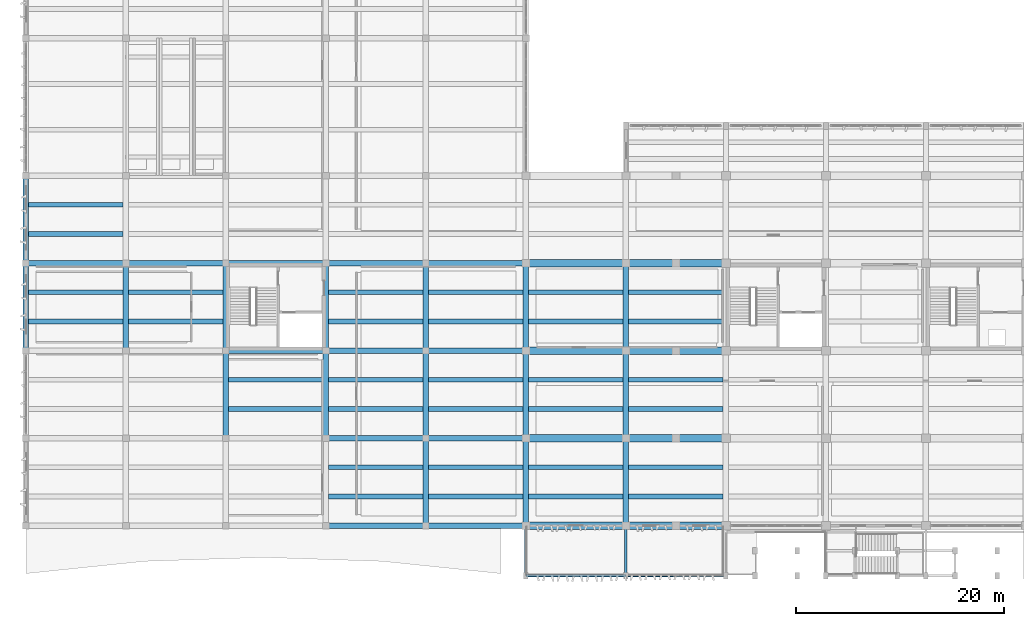
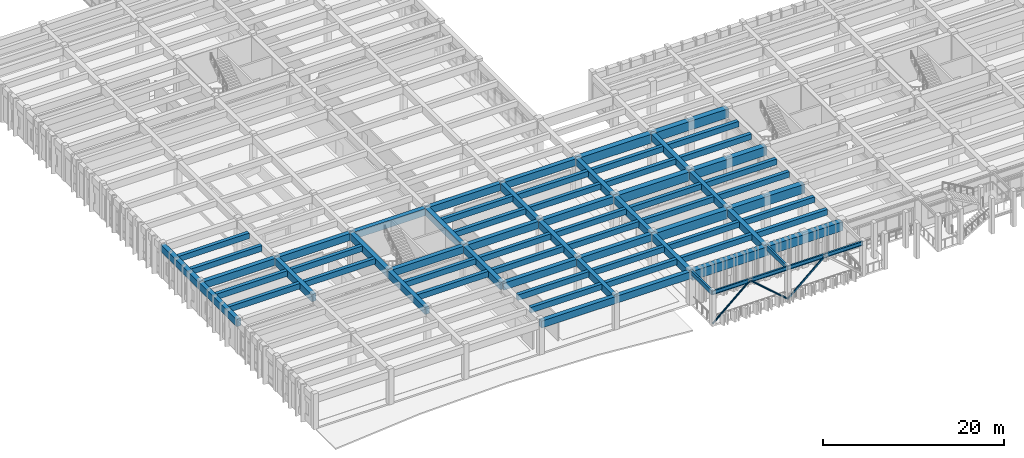
# One storey, part 4 of 86: 72 beams, 3 members.
"""IFC4 building model written with IfcOpenShell, lengths in metres."""

import ifcopenshell
import ifcopenshell.guid

model = None  # the IFC model being written
_history = None  # IfcOwnerHistory: only IFC2X3 demands one
_inside = {}  # id of a spatial element -> (the spatial element, [elements in it])
_under = {}  # id of a project, library or spatial element -> (it, [spatial elements below it])
_declared = {}  # id of a project -> (the project, [libraries it declares])
_typed = {}  # id of a type object -> (the type object, [elements of that type])
_made_of = {}  # id of a material, layer set ... -> (it, [elements and type objects made of it])


def new_model(schema):
    """Start an empty IFC model of exactly this schema.

    Asked for "IFC4X3", IfcOpenShell would pick the latest addendum, in which some entities
    have other attributes; the version numbers below select the first issue.
    IFC2X3 requires an IfcOwnerHistory on every rooted entity: one is made here for all.
    """
    global model, _history
    if schema == "IFC4X3":
        model = ifcopenshell.file(schema_version=(4, 3, 0, 0))
    else:
        model = ifcopenshell.file(schema=schema)
    _inside.clear()
    _under.clear()
    _declared.clear()
    _typed.clear()
    _made_of.clear()
    _history = None
    if model.schema == "IFC2X3":
        org = make("IfcOrganization", Name="unknown")
        user = make(
            "IfcPersonAndOrganization",
            ThePerson=make("IfcPerson", FamilyName="unknown"),
            TheOrganization=org,
        )
        app = make(
            "IfcApplication",
            ApplicationDeveloper=org,
            Version="unknown",
            ApplicationFullName="unknown",
            ApplicationIdentifier="unknown",
        )
        _history = make(
            "IfcOwnerHistory",
            OwningUser=user,
            OwningApplication=app,
            ChangeAction="ADDED",
            CreationDate=0,
        )
    return model


def make(cls, **values):
    """One entity of the class cls with the attributes given. An attribute that is None is left unset."""
    return model.create_entity(
        cls, **{name: value for name, value in values.items() if value is not None}
    )


def rooted(cls, **values):
    """An entity with a GlobalId (a new one), such as an element, a storey or a relation."""
    return make(cls, GlobalId=ifcopenshell.guid.new(), OwnerHistory=_history, **values)


def si_unit(unit_type, name, prefix=None):
    """IfcSIUnit, for example si_unit("LENGTHUNIT", "METRE", prefix="MILLI")."""
    return make("IfcSIUnit", UnitType=unit_type, Prefix=prefix, Name=name)


def assignment(units):
    """IfcUnitAssignment: the units of a project."""
    return None if units is None else make("IfcUnitAssignment", Units=units)


def point(xyz):
    """IfcCartesianPoint."""
    return None if xyz is None else make("IfcCartesianPoint", Coordinates=xyz)


def direction(xyz):
    """IfcDirection."""
    return None if xyz is None else make("IfcDirection", DirectionRatios=xyz)


def frame(location, z_axis=None, x_axis=None):
    """IfcAxis2Placement3D, a coordinate frame: its origin and axes. An axis left out is left unset."""
    return make(
        "IfcAxis2Placement3D",
        Location=point(location),
        Axis=direction(z_axis),
        RefDirection=direction(x_axis),
    )


def frame_2d(location, x_axis=None):
    """IfcAxis2Placement2D, a coordinate frame in the plane: its origin and x axis."""
    return make(
        "IfcAxis2Placement2D", Location=point(location), RefDirection=direction(x_axis)
    )


def origin():
    """The frame at (0, 0, 0) with its axes left unset."""
    return frame((0.0, 0.0, 0.0))


def origin_2d():
    """The frame at (0, 0) in the plane with its x axis left unset."""
    return frame_2d((0.0, 0.0))


def place(relative_to, where):
    """IfcLocalPlacement: puts the frame where relative to a parent placement (None: the world)."""
    return make(
        "IfcLocalPlacement", PlacementRelTo=relative_to, RelativePlacement=where
    )


def context(
    kind, dimensions, precision=None, world=None, true_north=None, identifier=None
):
    """IfcGeometricRepresentationContext, for example the 3D "Model" context."""
    return make(
        "IfcGeometricRepresentationContext",
        ContextIdentifier=identifier,
        ContextType=kind,
        CoordinateSpaceDimension=dimensions,
        Precision=precision,
        WorldCoordinateSystem=world,
        TrueNorth=true_north,
    )


def subcontext(parent, identifier, kind, view, scale=None):
    """IfcGeometricRepresentationSubContext, for example "Body" below "Model"."""
    return make(
        "IfcGeometricRepresentationSubContext",
        ContextIdentifier=identifier,
        ContextType=kind,
        ParentContext=parent,
        TargetScale=scale,
        TargetView=view,
    )


def project(units=None, contexts=None):
    """IfcProject with its units and contexts."""
    return rooted(
        "IfcProject",
        Name="project",
        RepresentationContexts=contexts,
        UnitsInContext=assignment(units),
    )


def spatial(cls, under=None, at=None, **own):
    """A site, building, storey or space (cls), placed at a placement, below another one or the project."""
    s = rooted(cls, ObjectPlacement=at, **own)
    if under is not None:
        _under.setdefault(under.id(), (under, []))[1].append(s)
    return s


def profile(cls, at=None, kind="AREA", **sizes):
    """A parametric profile (cls). Its sizes go by their IFC names, for example OverallWidth=200.0."""
    return make(cls, ProfileType=kind, Position=at, **sizes)


def rectangle(**sizes):
    """IfcRectangleProfileDef."""
    return profile("IfcRectangleProfileDef", **sizes)


def hollow_rectangle(**sizes):
    """IfcRectangleHollowProfileDef."""
    return profile("IfcRectangleHollowProfileDef", **sizes)


def hollow_circle(**sizes):
    """IfcCircleHollowProfileDef."""
    return profile("IfcCircleHollowProfileDef", **sizes)


def i_section(**sizes):
    """IfcIShapeProfileDef."""
    return profile("IfcIShapeProfileDef", **sizes)


def extrude(swept, where, along, depth):
    """IfcExtrudedAreaSolid: the profile swept, set in the frame where, extruded along a direction by depth."""
    return make(
        "IfcExtrudedAreaSolid",
        SweptArea=swept,
        Position=where,
        ExtrudedDirection=direction(along),
        Depth=depth,
    )


def shape(context_of_items, identifier, shape_type, items):
    """IfcShapeRepresentation: the items that make up one representation, for example the "Body"."""
    return make(
        "IfcShapeRepresentation",
        ContextOfItems=context_of_items,
        RepresentationIdentifier=identifier,
        RepresentationType=shape_type,
        Items=items,
    )


def material(Name=None, Category=None):
    """IfcMaterial."""
    return make("IfcMaterial", Name=Name, Category=Category)


def material_profile(
    of_material, cross_section, Name=None, Category=None, Priority=None
):
    """IfcMaterialProfile: a cross section and its material."""
    return make(
        "IfcMaterialProfile",
        Name=Name,
        Material=of_material,
        Profile=cross_section,
        Priority=Priority,
        Category=Category,
    )


def profile_set(profiles, Name=None, composite=None):
    """IfcMaterialProfileSet."""
    return make(
        "IfcMaterialProfileSet",
        Name=Name,
        MaterialProfiles=profiles,
        CompositeProfile=composite,
    )


def made_of(thing, what):
    """Note that an element or type object is made of a material, layer set ...; save() writes the relation."""
    if what is not None:
        _made_of.setdefault(what.id(), (what, []))[1].append(thing)
    return thing


def type_object(cls, material=None, **own):
    """A type object (cls), such as IfcWallType, which elements share."""
    return made_of(rooted(cls, **own), material)


def element(
    cls,
    number,
    at=None,
    inside=None,
    cuts=None,
    type_object=None,
    material=None,
    context=None,
    identifier="Body",
    shape_type=None,
    held_by="IfcProductDefinitionShape",
    body=None,
    shapes=None,
    **own,
):
    """One element of the class cls, such as IfcWall. Its Tag is "e" and its number.

    at: its placement. inside: the storey or other place that contains it. cuts: it is an
    opening in that element (IfcRelVoidsElement). A single representation is given by context,
    identifier, shape_type and body (its items); several are given by shapes. held_by: the class
    of the entity that holds the representations. save() writes the other relations.
    """
    e = rooted(cls, Tag="e%d" % number, ObjectPlacement=at, **own)
    if body is not None:
        shapes = [shape(context, identifier, shape_type, body)]
    if shapes is not None:
        e.Representation = make(held_by, Representations=shapes)
    if inside is not None:
        _inside.setdefault(inside.id(), (inside, []))[1].append(e)
    if cuts is not None:
        rooted(
            "IfcRelVoidsElement", RelatingBuildingElement=cuts, RelatedOpeningElement=e
        )
    if type_object is not None:
        _typed.setdefault(type_object.id(), (type_object, []))[1].append(e)
    return made_of(e, material)


def aggregate(whole, parts):
    """IfcRelAggregates: a whole, such as a stair, and the parts it consists of."""
    return rooted("IfcRelAggregates", RelatingObject=whole, RelatedObjects=parts)


def save(model, path):
    """Write the relations noted so far, then the file.

    IfcRelAggregates (storeys below a building ...), IfcRelContainedInSpatialStructure (elements
    in a storey), IfcRelDefinesByType, IfcRelAssociatesMaterial and IfcRelDeclares: one each for
    every whole, place, type object, material and project.
    """
    for whole, parts in _under.values():
        aggregate(whole, parts)
    for where, things in _inside.values():
        rooted(
            "IfcRelContainedInSpatialStructure",
            RelatedElements=things,
            RelatingStructure=where,
        )
    for kind, things in _typed.values():
        rooted("IfcRelDefinesByType", RelatedObjects=things, RelatingType=kind)
    for what, things in _made_of.values():
        rooted("IfcRelAssociatesMaterial", RelatedObjects=things, RelatingMaterial=what)
    for by, libraries in _declared.values():
        rooted("IfcRelDeclares", RelatingContext=by, RelatedDefinitions=libraries)
    model.write(path)


model = new_model("IFC4")

# Units and contexts
model_context = context("Model", 3, precision=1e-05, world=origin(), true_north=direction((0.0, 1.0)))
body_context = subcontext(model_context, "Body", "Model", "MODEL_VIEW")
ifc_project = project(units=[si_unit("LENGTHUNIT", "METRE"), si_unit("AREAUNIT", "SQUARE_METRE"), si_unit("VOLUMEUNIT", "CUBIC_METRE"), si_unit("PLANEANGLEUNIT", "RADIAN"), si_unit("MASSUNIT", "GRAM", prefix="KILO")], contexts=[model_context])

# Site, building, storey
site_placement = place(None, origin())
site = spatial("IfcSite", under=ifc_project, at=site_placement, CompositionType="ELEMENT")
building_placement = place(site_placement, origin())
building = spatial("IfcBuilding", under=site, at=building_placement, Name="Kolvemor Railside Polytechnic", CompositionType="ELEMENT")
storey_placement = place(building_placement, frame((0.0, 0.0, 5.39990234375)))
storey = spatial("IfcBuildingStorey", under=building, at=storey_placement, Name="L01", CompositionType="ELEMENT", Elevation=5.39990234375)

# Beams
ifc_material_1 = material(Name="Glulam GL28h", Category="wood")
ifc_material_profile_1 = material_profile(ifc_material_1, rectangle(XDim=0.239990234375, YDim=0.56005859375, at=origin_2d()), Name="GL240x560")
ifc_profile_set_1 = profile_set([ifc_material_profile_1], Name="Glulam GL28h")
beam_type_1 = type_object("IfcBeamType", Name="BM-GL-GIRD6", PredefinedType="BEAM", material=ifc_profile_set_1)
for number, where, z_axis, x_axis, name in (
    (1, (48.0, 0.0, 4.330078125), (0.0, 1.0, 0.0), (-1.0, 0.0, 0.0), "Upper Canopy Outrigger 2006"),
    (2, (57.60009765625, 0.0, 4.330078125), (0.0, 1.0, 0.0), (-1.0, 0.0, 0.0), "Upper Canopy Outrigger 2007"),
):
    element("IfcBeam", number, at=place(storey_placement, frame(where, z_axis=z_axis, x_axis=x_axis)), inside=storey, type_object=beam_type_1, Name=name, PredefinedType="BEAM", context=body_context, shape_type="SweptSolid", body=[
        extrude(rectangle(XDim=0.239990234375, YDim=0.56005859375, at=origin_2d()), origin(), (0.0, 0.0, 1.0), 4.800048828125),
    ])
ifc_material_2 = material(Name="Concrete C40/50", Category="concrete")
ifc_material_profile_2 = material_profile(ifc_material_2, rectangle(XDim=0.550048828125, YDim=0.949951171875, at=origin_2d()), Name="RC550x950")
ifc_profile_set_2 = profile_set([ifc_material_profile_2], Name="Concrete C40/50")
beam_type_2 = type_object("IfcBeamType", Name="BM-RC-GIRD", PredefinedType="BEAM", material=ifc_profile_set_2)
beam_1_placement = place(storey_placement, frame((28.800048828125, 4.800048828125, 4.005126953125), z_axis=(1.0, 0.0, 0.0), x_axis=(0.0, 1.0, 0.0)))
element("IfcBeam", 3, at=beam_1_placement, inside=storey, type_object=beam_type_2, Name="Primary Girder L02-GX 0561", PredefinedType="BEAM", context=body_context, shape_type="SweptSolid", body=[
    extrude(rectangle(XDim=0.550048828125, YDim=0.949951171875, at=origin_2d()), origin(), (0.0, 0.0, 1.0), 9.599853515625),
])
beam_2_placement = place(storey_placement, frame((38.39990234375, 4.800048828125, 4.005126953125), z_axis=(1.0, 0.0, 0.0), x_axis=(0.0, 1.0, 0.0)))
element("IfcBeam", 4, at=beam_2_placement, inside=storey, type_object=beam_type_2, Name="Primary Girder L02-GX 0562", PredefinedType="BEAM", context=body_context, shape_type="SweptSolid", body=[
    extrude(rectangle(XDim=0.550048828125, YDim=0.949951171875, at=origin_2d()), origin(), (0.0, 0.0, 1.0), 9.60009765625),
])
beam_3_placement = place(storey_placement, frame((28.800048828125, 13.199951171875, 4.005126953125), z_axis=(1.0, 0.0, 0.0), x_axis=(0.0, 1.0, 0.0)))
element("IfcBeam", 5, at=beam_3_placement, inside=storey, type_object=beam_type_2, Name="Primary Girder L02-GX 0566", PredefinedType="BEAM", context=body_context, shape_type="SweptSolid", body=[
    extrude(rectangle(XDim=0.550048828125, YDim=0.949951171875, at=origin_2d()), origin(), (0.0, 0.0, 1.0), 9.599853515625),
])
for number, where, z_axis, x_axis, name in (
    (6, (38.39990234375, 13.199951171875, 4.005126953125), (1.0, 0.0, 0.0), (0.0, 1.0, 0.0), "Primary Girder L02-GX 0567"),
    (7, (19.199951171875, 21.60009765625, 4.005126953125), (1.0, 0.0, 0.0), (0.0, 1.0, 0.0), "Primary Girder L02-GX 0570"),
):
    element("IfcBeam", number, at=place(storey_placement, frame(where, z_axis=z_axis, x_axis=x_axis)), inside=storey, type_object=beam_type_2, Name=name, PredefinedType="BEAM", context=body_context, shape_type="SweptSolid", body=[
        extrude(rectangle(XDim=0.550048828125, YDim=0.949951171875, at=origin_2d()), origin(), (0.0, 0.0, 1.0), 9.60009765625),
    ])
beam_4_placement = place(storey_placement, frame((28.800048828125, 21.60009765625, 4.005126953125), z_axis=(1.0, 0.0, 0.0), x_axis=(0.0, 1.0, 0.0)))
element("IfcBeam", 8, at=beam_4_placement, inside=storey, type_object=beam_type_2, Name="Primary Girder L02-GX 0571", PredefinedType="BEAM", context=body_context, shape_type="SweptSolid", body=[
    extrude(rectangle(XDim=0.550048828125, YDim=0.949951171875, at=origin_2d()), origin(), (0.0, 0.0, 1.0), 9.599853515625),
])
for number, where, z_axis, x_axis, name in (
    (9, (38.39990234375, 21.60009765625, 4.005126953125), (1.0, 0.0, 0.0), (0.0, 1.0, 0.0), "Primary Girder L02-GX 0572"),
    (10, (0.0, 30.0, 4.005126953125), (1.0, 0.0, 0.0), (0.0, 1.0, 0.0), "Primary Girder L02-GX 0573"),
):
    element("IfcBeam", number, at=place(storey_placement, frame(where, z_axis=z_axis, x_axis=x_axis)), inside=storey, type_object=beam_type_2, Name=name, PredefinedType="BEAM", context=body_context, shape_type="SweptSolid", body=[
        extrude(rectangle(XDim=0.550048828125, YDim=0.949951171875, at=origin_2d()), origin(), (0.0, 0.0, 1.0), 9.60009765625),
    ])
beam_5_placement = place(storey_placement, frame((9.60009765625, 30.0, 4.005126953125), z_axis=(1.0, 0.0, 0.0), x_axis=(0.0, 1.0, 0.0)))
element("IfcBeam", 11, at=beam_5_placement, inside=storey, type_object=beam_type_2, Name="Primary Girder L02-GX 0574", PredefinedType="BEAM", context=body_context, shape_type="SweptSolid", body=[
    extrude(rectangle(XDim=0.550048828125, YDim=0.949951171875, at=origin_2d()), origin(), (0.0, 0.0, 1.0), 9.599853515625),
])
beam_6_placement = place(storey_placement, frame((19.199951171875, 30.0, 4.005126953125), z_axis=(1.0, 0.0, 0.0), x_axis=(0.0, 1.0, 0.0)))
element("IfcBeam", 12, at=beam_6_placement, inside=storey, type_object=beam_type_2, Name="Primary Girder L02-GX 0575", PredefinedType="BEAM", context=body_context, shape_type="SweptSolid", body=[
    extrude(rectangle(XDim=0.550048828125, YDim=0.949951171875, at=origin_2d()), origin(), (0.0, 0.0, 1.0), 9.60009765625),
])
beam_7_placement = place(storey_placement, frame((28.800048828125, 30.0, 4.005126953125), z_axis=(1.0, 0.0, 0.0), x_axis=(0.0, 1.0, 0.0)))
element("IfcBeam", 13, at=beam_7_placement, inside=storey, type_object=beam_type_2, Name="Primary Girder L02-GX 0576", PredefinedType="BEAM", context=body_context, shape_type="SweptSolid", body=[
    extrude(rectangle(XDim=0.550048828125, YDim=0.949951171875, at=origin_2d()), origin(), (0.0, 0.0, 1.0), 9.599853515625),
])
beam_8_placement = place(storey_placement, frame((38.39990234375, 30.0, 4.005126953125), z_axis=(1.0, 0.0, 0.0), x_axis=(0.0, 1.0, 0.0)))
element("IfcBeam", 14, at=beam_8_placement, inside=storey, type_object=beam_type_2, Name="Primary Girder L02-GX 0577", PredefinedType="BEAM", context=body_context, shape_type="SweptSolid", body=[
    extrude(rectangle(XDim=0.550048828125, YDim=0.949951171875, at=origin_2d()), origin(), (0.0, 0.0, 1.0), 9.60009765625),
])
for number, where, z_axis, x_axis, name in (
    (15, (0.0, 21.60009765625, 4.005126953125), (0.0, 1.0, 0.0), (-1.0, 0.0, 0.0), "Primary Girder L02-GY 0610"),
    (16, (0.0, 30.0, 4.005126953125), (0.0, 1.0, 0.0), (-1.0, 0.0, 0.0), "Primary Girder L02-GY 0611"),
    (17, (9.60009765625, 21.60009765625, 4.005126953125), (0.0, 1.0, 0.0), (-1.0, 0.0, 0.0), "Primary Girder L02-GY 0619"),
):
    element("IfcBeam", number, at=place(storey_placement, frame(where, z_axis=z_axis, x_axis=x_axis)), inside=storey, type_object=beam_type_2, Name=name, PredefinedType="BEAM", context=body_context, shape_type="SweptSolid", body=[
        extrude(rectangle(XDim=0.550048828125, YDim=0.949951171875, at=origin_2d()), origin(), (0.0, 0.0, 1.0), 8.39990234375),
    ])
beam_9_placement = place(storey_placement, frame((19.199951171875, 13.199951171875, 4.005126953125), z_axis=(0.0, 1.0, 0.0), x_axis=(-1.0, 0.0, 0.0)))
element("IfcBeam", 18, at=beam_9_placement, inside=storey, type_object=beam_type_2, Name="Primary Girder L02-GY 0627", PredefinedType="BEAM", context=body_context, shape_type="SweptSolid", body=[
    extrude(rectangle(XDim=0.550048828125, YDim=0.949951171875, at=origin_2d()), origin(), (0.0, 0.0, 1.0), 8.400146484375),
])
beam_10_placement = place(storey_placement, frame((19.199951171875, 21.60009765625, 4.005126953125), z_axis=(0.0, 1.0, 0.0), x_axis=(-1.0, 0.0, 0.0)))
element("IfcBeam", 19, at=beam_10_placement, inside=storey, type_object=beam_type_2, Name="Primary Girder L02-GY 0628", PredefinedType="BEAM", context=body_context, shape_type="SweptSolid", body=[
    extrude(rectangle(XDim=0.550048828125, YDim=0.949951171875, at=origin_2d()), origin(), (0.0, 0.0, 1.0), 8.39990234375),
])
beam_11_placement = place(storey_placement, frame((28.800048828125, 13.199951171875, 4.005126953125), z_axis=(0.0, 1.0, 0.0), x_axis=(-1.0, 0.0, 0.0)))
element("IfcBeam", 20, at=beam_11_placement, inside=storey, type_object=beam_type_2, Name="Primary Girder L02-GY 0636", PredefinedType="BEAM", context=body_context, shape_type="SweptSolid", body=[
    extrude(rectangle(XDim=0.550048828125, YDim=0.949951171875, at=origin_2d()), origin(), (0.0, 0.0, 1.0), 8.400146484375),
])
for number, where, z_axis, x_axis, name in (
    (21, (28.800048828125, 21.60009765625, 4.005126953125), (0.0, 1.0, 0.0), (-1.0, 0.0, 0.0), "Primary Girder L02-GY 0637"),
    (22, (38.39990234375, 4.800048828125, 4.005126953125), (0.0, 1.0, 0.0), (-1.0, 0.0, 0.0), "Primary Girder L02-GY 0644"),
):
    element("IfcBeam", number, at=place(storey_placement, frame(where, z_axis=z_axis, x_axis=x_axis)), inside=storey, type_object=beam_type_2, Name=name, PredefinedType="BEAM", context=body_context, shape_type="SweptSolid", body=[
        extrude(rectangle(XDim=0.550048828125, YDim=0.949951171875, at=origin_2d()), origin(), (0.0, 0.0, 1.0), 8.39990234375),
    ])
beam_12_placement = place(storey_placement, frame((38.39990234375, 13.199951171875, 4.005126953125), z_axis=(0.0, 1.0, 0.0), x_axis=(-1.0, 0.0, 0.0)))
element("IfcBeam", 23, at=beam_12_placement, inside=storey, type_object=beam_type_2, Name="Primary Girder L02-GY 0645", PredefinedType="BEAM", context=body_context, shape_type="SweptSolid", body=[
    extrude(rectangle(XDim=0.550048828125, YDim=0.949951171875, at=origin_2d()), origin(), (0.0, 0.0, 1.0), 8.400146484375),
])
for number, where, z_axis, x_axis, name in (
    (24, (38.39990234375, 21.60009765625, 4.005126953125), (0.0, 1.0, 0.0), (-1.0, 0.0, 0.0), "Primary Girder L02-GY 0646"),
    (25, (48.0, 4.800048828125, 4.005126953125), (0.0, 1.0, 0.0), (-1.0, 0.0, 0.0), "Primary Girder L02-GY 0653"),
):
    element("IfcBeam", number, at=place(storey_placement, frame(where, z_axis=z_axis, x_axis=x_axis)), inside=storey, type_object=beam_type_2, Name=name, PredefinedType="BEAM", context=body_context, shape_type="SweptSolid", body=[
        extrude(rectangle(XDim=0.550048828125, YDim=0.949951171875, at=origin_2d()), origin(), (0.0, 0.0, 1.0), 8.39990234375),
    ])
beam_13_placement = place(storey_placement, frame((48.0, 13.199951171875, 4.005126953125), z_axis=(0.0, 1.0, 0.0), x_axis=(-1.0, 0.0, 0.0)))
element("IfcBeam", 26, at=beam_13_placement, inside=storey, type_object=beam_type_2, Name="Primary Girder L02-GY 0654", PredefinedType="BEAM", context=body_context, shape_type="SweptSolid", body=[
    extrude(rectangle(XDim=0.550048828125, YDim=0.949951171875, at=origin_2d()), origin(), (0.0, 0.0, 1.0), 8.400146484375),
])
for number, where, z_axis, x_axis, name in (
    (27, (48.0, 21.60009765625, 4.005126953125), (0.0, 1.0, 0.0), (-1.0, 0.0, 0.0), "Primary Girder L02-GY 0655"),
    (28, (57.60009765625, 4.800048828125, 4.005126953125), (0.0, 1.0, 0.0), (-1.0, 0.0, 0.0), "Primary Girder L02-GY 0793"),
):
    element("IfcBeam", number, at=place(storey_placement, frame(where, z_axis=z_axis, x_axis=x_axis)), inside=storey, type_object=beam_type_2, Name=name, PredefinedType="BEAM", context=body_context, shape_type="SweptSolid", body=[
        extrude(rectangle(XDim=0.550048828125, YDim=0.949951171875, at=origin_2d()), origin(), (0.0, 0.0, 1.0), 8.39990234375),
    ])
beam_14_placement = place(storey_placement, frame((57.60009765625, 13.199951171875, 4.005126953125), z_axis=(0.0, 1.0, 0.0), x_axis=(-1.0, 0.0, 0.0)))
element("IfcBeam", 29, at=beam_14_placement, inside=storey, type_object=beam_type_2, Name="Primary Girder L02-GY 0794", PredefinedType="BEAM", context=body_context, shape_type="SweptSolid", body=[
    extrude(rectangle(XDim=0.550048828125, YDim=0.949951171875, at=origin_2d()), origin(), (0.0, 0.0, 1.0), 8.400146484375),
])
beam_15_placement = place(storey_placement, frame((57.60009765625, 21.60009765625, 4.005126953125), z_axis=(0.0, 1.0, 0.0), x_axis=(-1.0, 0.0, 0.0)))
element("IfcBeam", 30, at=beam_15_placement, inside=storey, type_object=beam_type_2, Name="Primary Girder L02-GY 0795", PredefinedType="BEAM", context=body_context, shape_type="SweptSolid", body=[
    extrude(rectangle(XDim=0.550048828125, YDim=0.949951171875, at=origin_2d()), origin(), (0.0, 0.0, 1.0), 8.39990234375),
])
ifc_material_3 = material(Name="Concrete C40/50", Category="concrete")
ifc_material_profile_3 = material_profile(ifc_material_3, rectangle(XDim=0.449951171875, YDim=0.75, at=origin_2d()), Name="RC450x750")
ifc_profile_set_3 = profile_set([ifc_material_profile_3], Name="Concrete C40/50")
beam_type_3 = type_object("IfcBeamType", Name="BM-RC-SEC", PredefinedType="JOIST", material=ifc_profile_set_3)
for number, where, z_axis, x_axis, name in (
    (31, (0.27490234375, 24.39990234375, 4.10498046875), (1.0, 0.0, 0.0), (0.0, 1.0, 0.0), "Floor Joist L02-J0666"),
    (32, (0.27490234375, 27.199951171875, 4.10498046875), (1.0, 0.0, 0.0), (0.0, 1.0, 0.0), "Floor Joist L02-J0667"),
    (33, (0.27490234375, 32.800048828125, 4.10498046875), (1.0, 0.0, 0.0), (0.0, 1.0, 0.0), "Floor Joist L02-J0668"),
    (34, (0.27490234375, 35.60009765625, 4.10498046875), (1.0, 0.0, 0.0), (0.0, 1.0, 0.0), "Floor Joist L02-J0669"),
    (35, (9.875, 24.39990234375, 4.10498046875), (1.0, 0.0, 0.0), (0.0, 1.0, 0.0), "Floor Joist L02-J0684"),
    (36, (9.875, 27.199951171875, 4.10498046875), (1.0, 0.0, 0.0), (0.0, 1.0, 0.0), "Floor Joist L02-J0685"),
):
    element("IfcBeam", number, at=place(storey_placement, frame(where, z_axis=z_axis, x_axis=x_axis)), inside=storey, type_object=beam_type_3, Name=name, PredefinedType="JOIST", context=body_context, shape_type="SweptSolid", body=[
        extrude(rectangle(XDim=0.449951171875, YDim=0.75, at=origin_2d()), origin(), (0.0, 0.0, 1.0), 9.050048828125),
    ])
for number, where, z_axis, x_axis, name in (
    (37, (19.47509765625, 16.0, 4.10498046875), (1.0, 0.0, 0.0), (0.0, 1.0, 0.0), "Floor Joist L02-J0700"),
    (38, (19.47509765625, 18.800048828125, 4.10498046875), (1.0, 0.0, 0.0), (0.0, 1.0, 0.0), "Floor Joist L02-J0701"),
):
    element("IfcBeam", number, at=place(storey_placement, frame(where, z_axis=z_axis, x_axis=x_axis)), inside=storey, type_object=beam_type_3, Name=name, PredefinedType="JOIST", context=body_context, shape_type="SweptSolid", body=[
        extrude(rectangle(XDim=0.449951171875, YDim=0.75, at=origin_2d()), origin(), (0.0, 0.0, 1.0), 9.0498046875),
    ])
for number, where, z_axis, x_axis, name in (
    (39, (29.074951171875, 7.60009765625, 4.10498046875), (1.0, 0.0, 0.0), (0.0, 1.0, 0.0), "Floor Joist L02-J0712"),
    (40, (29.074951171875, 10.39990234375, 4.10498046875), (1.0, 0.0, 0.0), (0.0, 1.0, 0.0), "Floor Joist L02-J0713"),
    (41, (29.074951171875, 16.0, 4.10498046875), (1.0, 0.0, 0.0), (0.0, 1.0, 0.0), "Floor Joist L02-J0714"),
    (42, (29.074951171875, 18.800048828125, 4.10498046875), (1.0, 0.0, 0.0), (0.0, 1.0, 0.0), "Floor Joist L02-J0715"),
    (43, (29.074951171875, 24.39990234375, 4.10498046875), (1.0, 0.0, 0.0), (0.0, 1.0, 0.0), "Floor Joist L02-J0716"),
    (44, (29.074951171875, 27.199951171875, 4.10498046875), (1.0, 0.0, 0.0), (0.0, 1.0, 0.0), "Floor Joist L02-J0717"),
    (45, (38.675048828125, 7.60009765625, 4.10498046875), (1.0, 0.0, 0.0), (0.0, 1.0, 0.0), "Floor Joist L02-J0730"),
    (46, (38.675048828125, 10.39990234375, 4.10498046875), (1.0, 0.0, 0.0), (0.0, 1.0, 0.0), "Floor Joist L02-J0731"),
    (47, (38.675048828125, 16.0, 4.10498046875), (1.0, 0.0, 0.0), (0.0, 1.0, 0.0), "Floor Joist L02-J0732"),
    (48, (38.675048828125, 18.800048828125, 4.10498046875), (1.0, 0.0, 0.0), (0.0, 1.0, 0.0), "Floor Joist L02-J0733"),
    (49, (38.675048828125, 24.39990234375, 4.10498046875), (1.0, 0.0, 0.0), (0.0, 1.0, 0.0), "Floor Joist L02-J0734"),
    (50, (38.675048828125, 27.199951171875, 4.10498046875), (1.0, 0.0, 0.0), (0.0, 1.0, 0.0), "Floor Joist L02-J0735"),
    (51, (48.27490234375, 7.60009765625, 4.10498046875), (1.0, 0.0, 0.0), (0.0, 1.0, 0.0), "Floor Joist L02-J0829"),
    (52, (48.27490234375, 10.39990234375, 4.10498046875), (1.0, 0.0, 0.0), (0.0, 1.0, 0.0), "Floor Joist L02-J0830"),
    (53, (48.27490234375, 16.0, 4.10498046875), (1.0, 0.0, 0.0), (0.0, 1.0, 0.0), "Floor Joist L02-J0831"),
    (54, (48.27490234375, 18.800048828125, 4.10498046875), (1.0, 0.0, 0.0), (0.0, 1.0, 0.0), "Floor Joist L02-J0832"),
    (55, (48.27490234375, 24.39990234375, 4.10498046875), (1.0, 0.0, 0.0), (0.0, 1.0, 0.0), "Floor Joist L02-J0833"),
    (56, (48.27490234375, 27.199951171875, 4.10498046875), (1.0, 0.0, 0.0), (0.0, 1.0, 0.0), "Floor Joist L02-J0834"),
    (57, (57.875, 7.60009765625, 4.10498046875), (1.0, 0.0, 0.0), (0.0, 1.0, 0.0), "Floor Joist L02-J0837"),
    (58, (57.875, 10.39990234375, 4.10498046875), (1.0, 0.0, 0.0), (0.0, 1.0, 0.0), "Floor Joist L02-J0838"),
    (59, (57.875, 16.0, 4.10498046875), (1.0, 0.0, 0.0), (0.0, 1.0, 0.0), "Floor Joist L02-J0839"),
    (60, (57.875, 18.800048828125, 4.10498046875), (1.0, 0.0, 0.0), (0.0, 1.0, 0.0), "Floor Joist L02-J0840"),
    (61, (57.875, 24.39990234375, 4.10498046875), (1.0, 0.0, 0.0), (0.0, 1.0, 0.0), "Floor Joist L02-J0841"),
    (62, (57.875, 27.199951171875, 4.10498046875), (1.0, 0.0, 0.0), (0.0, 1.0, 0.0), "Floor Joist L02-J0842"),
):
    element("IfcBeam", number, at=place(storey_placement, frame(where, z_axis=z_axis, x_axis=x_axis)), inside=storey, type_object=beam_type_3, Name=name, PredefinedType="JOIST", context=body_context, shape_type="SweptSolid", body=[
        extrude(rectangle(XDim=0.449951171875, YDim=0.75, at=origin_2d()), origin(), (0.0, 0.0, 1.0), 9.050048828125),
    ])
ifc_material_4 = material(Name="Concrete C40/50", Category="concrete")
ifc_material_profile_4 = material_profile(ifc_material_4, rectangle(XDim=0.699951171875, YDim=1.199951171875, at=origin_2d()), Name="RC700x1200")
ifc_profile_set_4 = profile_set([ifc_material_profile_4], Name="Concrete C40/50")
beam_type_4 = type_object("IfcBeamType", Name="BM-RC-XFER", PredefinedType="BEAM", material=ifc_profile_set_4)
beam_16_placement = place(storey_placement, frame((48.0, 4.800048828125, 3.880126953125), z_axis=(1.0, 0.0, 0.0), x_axis=(0.0, 1.0, 0.0)))
element("IfcBeam", 63, at=beam_16_placement, inside=storey, type_object=beam_type_4, Name="Primary Girder L02-GX 0748", PredefinedType="BEAM", context=body_context, shape_type="SweptSolid", body=[
    extrude(rectangle(XDim=0.699951171875, YDim=1.199951171875, at=origin_2d()), origin(), (0.0, 0.0, 1.0), 9.60009765625),
])
beam_17_placement = place(storey_placement, frame((57.60009765625, 4.800048828125, 3.880126953125), z_axis=(1.0, 0.0, 0.0), x_axis=(0.0, 1.0, 0.0)))
element("IfcBeam", 64, at=beam_17_placement, inside=storey, type_object=beam_type_4, Name="Primary Girder L02-GX 0749", PredefinedType="BEAM", context=body_context, shape_type="SweptSolid", body=[
    extrude(rectangle(XDim=0.699951171875, YDim=1.199951171875, at=origin_2d()), origin(), (0.0, 0.0, 1.0), 9.599853515625),
])
beam_18_placement = place(storey_placement, frame((48.0, 13.199951171875, 3.880126953125), z_axis=(1.0, 0.0, 0.0), x_axis=(0.0, 1.0, 0.0)))
element("IfcBeam", 65, at=beam_18_placement, inside=storey, type_object=beam_type_4, Name="Primary Girder L02-GX 0757", PredefinedType="BEAM", context=body_context, shape_type="SweptSolid", body=[
    extrude(rectangle(XDim=0.699951171875, YDim=1.199951171875, at=origin_2d()), origin(), (0.0, 0.0, 1.0), 9.60009765625),
])
beam_19_placement = place(storey_placement, frame((57.60009765625, 13.199951171875, 3.880126953125), z_axis=(1.0, 0.0, 0.0), x_axis=(0.0, 1.0, 0.0)))
element("IfcBeam", 66, at=beam_19_placement, inside=storey, type_object=beam_type_4, Name="Primary Girder L02-GX 0758", PredefinedType="BEAM", context=body_context, shape_type="SweptSolid", body=[
    extrude(rectangle(XDim=0.699951171875, YDim=1.199951171875, at=origin_2d()), origin(), (0.0, 0.0, 1.0), 9.599853515625),
])
beam_20_placement = place(storey_placement, frame((48.0, 21.60009765625, 3.880126953125), z_axis=(1.0, 0.0, 0.0), x_axis=(0.0, 1.0, 0.0)))
element("IfcBeam", 67, at=beam_20_placement, inside=storey, type_object=beam_type_4, Name="Primary Girder L02-GX 0766", PredefinedType="BEAM", context=body_context, shape_type="SweptSolid", body=[
    extrude(rectangle(XDim=0.699951171875, YDim=1.199951171875, at=origin_2d()), origin(), (0.0, 0.0, 1.0), 9.60009765625),
])
beam_21_placement = place(storey_placement, frame((57.60009765625, 21.60009765625, 3.880126953125), z_axis=(1.0, 0.0, 0.0), x_axis=(0.0, 1.0, 0.0)))
element("IfcBeam", 68, at=beam_21_placement, inside=storey, type_object=beam_type_4, Name="Primary Girder L02-GX 0767", PredefinedType="BEAM", context=body_context, shape_type="SweptSolid", body=[
    extrude(rectangle(XDim=0.699951171875, YDim=1.199951171875, at=origin_2d()), origin(), (0.0, 0.0, 1.0), 9.599853515625),
])
beam_22_placement = place(storey_placement, frame((48.0, 30.0, 3.880126953125), z_axis=(1.0, 0.0, 0.0), x_axis=(0.0, 1.0, 0.0)))
element("IfcBeam", 69, at=beam_22_placement, inside=storey, type_object=beam_type_4, Name="Primary Girder L02-GX 0775", PredefinedType="BEAM", context=body_context, shape_type="SweptSolid", body=[
    extrude(rectangle(XDim=0.699951171875, YDim=1.199951171875, at=origin_2d()), origin(), (0.0, 0.0, 1.0), 9.60009765625),
])
beam_23_placement = place(storey_placement, frame((57.60009765625, 30.0, 3.880126953125), z_axis=(1.0, 0.0, 0.0), x_axis=(0.0, 1.0, 0.0)))
element("IfcBeam", 70, at=beam_23_placement, inside=storey, type_object=beam_type_4, Name="Primary Girder L02-GX 0776", PredefinedType="BEAM", context=body_context, shape_type="SweptSolid", body=[
    extrude(rectangle(XDim=0.699951171875, YDim=1.199951171875, at=origin_2d()), origin(), (0.0, 0.0, 1.0), 9.599853515625),
])
ifc_material_5 = material(Name="Steel S355", Category="steel")
ifc_material_profile_5 = material_profile(ifc_material_5, i_section(OverallWidth=0.208984375, OverallDepth=0.532958984375, WebThickness=0.01025390625, FlangeThickness=0.015625, FilletRadius=0.013916015625, at=origin_2d()), Name="W530x92")
ifc_profile_set_5 = profile_set([ifc_material_profile_5], Name="Steel S355")
beam_type_5 = type_object("IfcBeamType", Name="BM-ST-G1", PredefinedType="BEAM", material=ifc_profile_set_5)
beam_24_placement = place(storey_placement, frame((48.0, 0.0, 4.35009765625), z_axis=(1.0, 0.0, 0.0), x_axis=(0.0, 1.0, 0.0)))
element("IfcBeam", 71, at=beam_24_placement, inside=storey, type_object=beam_type_5, Name="Upper Canopy Lintel 2004", PredefinedType="BEAM", context=body_context, shape_type="SweptSolid", body=[
    extrude(i_section(OverallWidth=0.208984375, OverallDepth=0.532958984375, WebThickness=0.01025390625, FlangeThickness=0.015625, FilletRadius=0.013916015625, at=origin_2d()), origin(), (0.0, 0.0, 1.0), 9.60009765625),
])
beam_25_placement = place(storey_placement, frame((57.60009765625, 0.0, 4.35009765625), z_axis=(1.0, 0.0, 0.0), x_axis=(0.0, 1.0, 0.0)))
element("IfcBeam", 72, at=beam_25_placement, inside=storey, type_object=beam_type_5, Name="Upper Canopy Lintel 2005", PredefinedType="BEAM", context=body_context, shape_type="SweptSolid", body=[
    extrude(i_section(OverallWidth=0.208984375, OverallDepth=0.532958984375, WebThickness=0.01025390625, FlangeThickness=0.015625, FilletRadius=0.013916015625, at=origin_2d()), origin(), (0.0, 0.0, 1.0), 9.599853515625),
])

# Members
ifc_material_6 = material(Name="Steel S355", Category="steel")
ifc_material_profile_6 = material_profile(ifc_material_6, hollow_circle(Radius=0.109619140625, WallThickness=0.010009765625, at=origin_2d()), Name="CHS219.1x10")
ifc_profile_set_6 = profile_set([ifc_material_profile_6], Name="Steel S355")
member_type_1 = type_object("IfcMemberType", Name="MEM-BR-CHS1", PredefinedType="BRACE", material=ifc_profile_set_6)
for number, where, z_axis, x_axis, name in (
    (73, (48.0, 0.0, 0.150146484375), (0.752583808274, 0.0, 0.658496477989), (0.0, 1.0, 0.0), "Wind Chevron Brace BR-13A"),
    (74, (57.60009765625, 0.0, 0.150146484375), (-0.752583808274, 0.0, 0.658496477989), (0.0, -1.0, 0.0), "Wind Chevron Brace BR-13B"),
):
    element("IfcMember", number, at=place(storey_placement, frame(where, z_axis=z_axis, x_axis=x_axis)), inside=storey, type_object=member_type_1, Name=name, PredefinedType="BRACE", context=body_context, shape_type="SweptSolid", body=[
        extrude(hollow_circle(Radius=0.109619140625, WallThickness=0.010009765625, at=origin_2d()), origin(), (0.0, 0.0, 1.0), 6.378173828125),
    ])
ifc_material_7 = material(Name="Steel S355", Category="steel")
ifc_material_profile_7 = material_profile(ifc_material_7, hollow_rectangle(XDim=0.139892578125, YDim=0.219970703125, WallThickness=0.010009765625, InnerFilletRadius=0.010009765625, OuterFilletRadius=0.02001953125, at=origin_2d()), Name="HSS220x140x10")
ifc_profile_set_7 = profile_set([ifc_material_profile_7], Name="Steel S355")
member_type_2 = type_object("IfcMemberType", Name="MEM-BR-HSS3", PredefinedType="BRACE", material=ifc_profile_set_7)
member_placement = place(storey_placement, frame((57.60009765625, 0.0, 0.150146484375), z_axis=(0.752567209541, 0.0, 0.658515447901), x_axis=(0.0, 1.0, 0.0)))
element("IfcMember", 75, at=member_placement, inside=storey, type_object=member_type_2, Name="Wind Chevron Brace BR-14A", PredefinedType="BRACE", context=body_context, shape_type="SweptSolid", body=[
    extrude(hollow_rectangle(XDim=0.139892578125, YDim=0.219970703125, WallThickness=0.010009765625, InnerFilletRadius=0.010009765625, OuterFilletRadius=0.02001953125, at=origin_2d()), origin(), (0.0, 0.0, 1.0), 6.3779296875),
])

save(model, "model.ifc")
